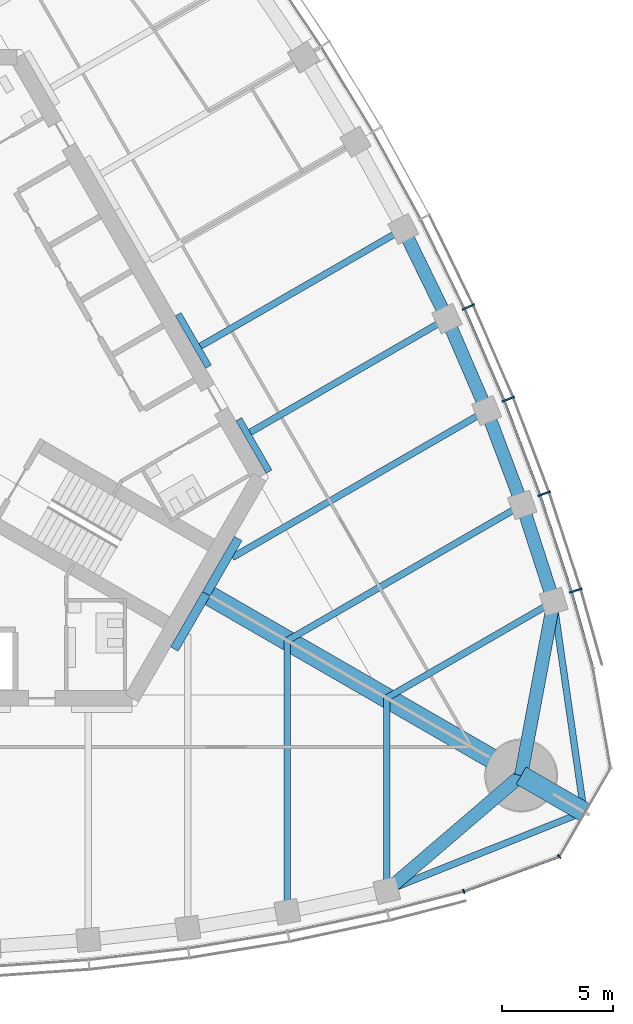
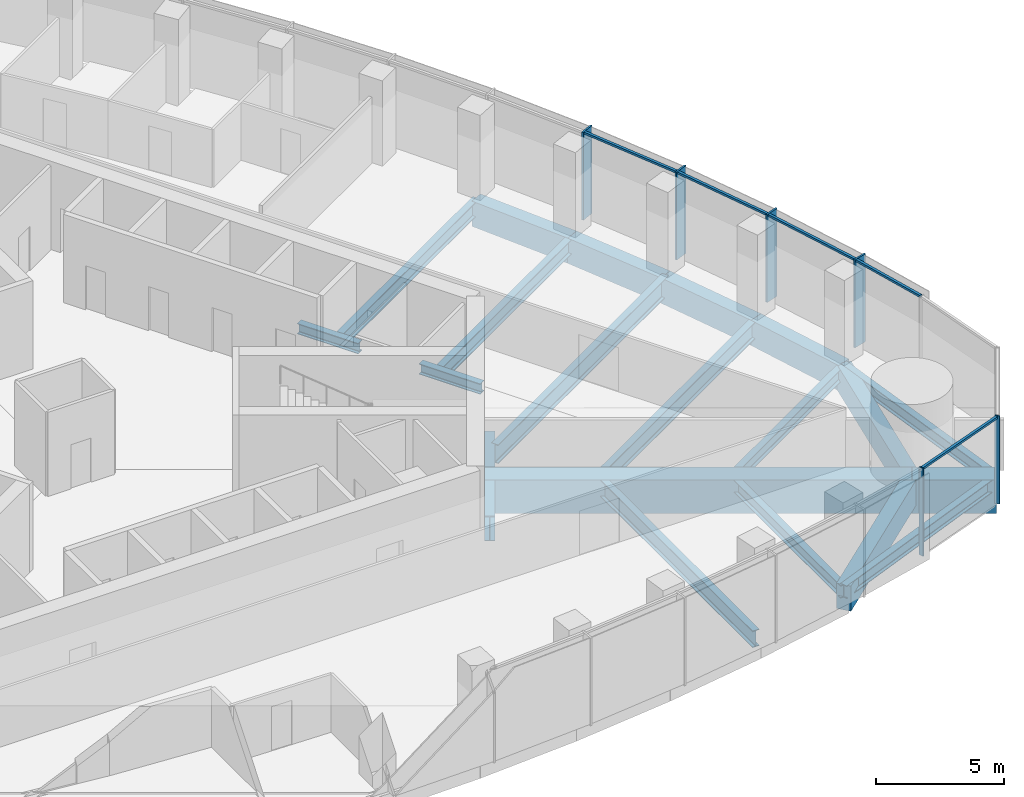
# One storey, part 4 of 19: 21 beams, 11 members, 2 elements without a shape of their own.
"""IFC4 building model written with IfcOpenShell, lengths in metres."""

from ifc_helpers import new_model, si_unit, direction, frame, origin, origin_2d, place, context, subcontext, project, spatial, rectangle, i_section, extrude, material, material_profile, profile_set, type_object, element, aggregate, save


model = new_model("IFC4")

# Units and contexts
model_context = context("Model", 3, precision=1e-05, world=origin(), true_north=direction((0.0, 1.0)))
body_context = subcontext(model_context, "Body", "Model", "MODEL_VIEW")
ifc_project = project(units=[si_unit("LENGTHUNIT", "METRE"), si_unit("AREAUNIT", "SQUARE_METRE"), si_unit("VOLUMEUNIT", "CUBIC_METRE"), si_unit("PLANEANGLEUNIT", "RADIAN"), si_unit("MASSUNIT", "GRAM", prefix="KILO")], contexts=[model_context])

# Site, building, storey
site_placement = place(None, origin())
site = spatial("IfcSite", under=ifc_project, at=site_placement, CompositionType="ELEMENT")
building_placement = place(site_placement, origin())
building = spatial("IfcBuilding", under=site, at=building_placement, Name="Trefoil Bronze Tower", CompositionType="ELEMENT")
storey_placement = place(building_placement, frame((0.0, 0.0, 227.5)))
storey = spatial("IfcBuildingStorey", under=building, at=storey_placement, Name="L52", CompositionType="ELEMENT", Elevation=227.5)

# Curtain wall, members
ifc_material_1 = material(Name="Tinted solar-control glass", Category="glass")
curtain_wall_type_1 = type_object("IfcCurtainWallType", Name="Bronze office curtain wall", PredefinedType="USERDEFINED", material=ifc_material_1)
curtain_wall_1_placement = place(storey_placement, origin())
curtain_wall_1 = element("IfcCurtainWall", 1, at=curtain_wall_1_placement, inside=storey, type_object=curtain_wall_type_1, Name="CW-A L52 F2", ObjectType="CURTAIN WALL", PredefinedType="USERDEFINED")
ifc_material_2 = material(Name="Bronze-finish aluminium", Category="aluminium")
ifc_material_profile_1 = material_profile(ifc_material_2, rectangle(XDim=0.60009765625, YDim=0.080078125, at=origin_2d()), Name="CW-A mullion")
ifc_profile_set_1 = profile_set([ifc_material_profile_1], Name="Bronze-finish aluminium")
member_type_1 = type_object("IfcMemberType", Name="Bronze office curtain wall mullion", PredefinedType="MULLION", material=ifc_profile_set_1)
member_1_placement = place(storey_placement, frame((31.05029296875, -8.132568359375, 0.0), z_axis=(0.0, 0.0, 1.0), x_axis=(-0.95694224323, -0.290278389002, 0.0)))
member_1 = element("IfcMember", 2, at=member_1_placement, type_object=member_type_1, Name="CW-A L52 F2 mullion 2", PredefinedType="MULLION", context=body_context, shape_type="SweptSolid", body=[
    extrude(rectangle(XDim=0.60009765625, YDim=0.080078125, at=origin_2d()), origin(), (0.0, 0.0, 1.0), 4.179931640625),
])
member_2_placement = place(storey_placement, frame((29.619873046875, -3.747314453125, 0.0), z_axis=(0.0, 0.0, 1.0), x_axis=(-0.943180077746, -0.332282020191, 0.0)))
member_2 = element("IfcMember", 3, at=member_2_placement, type_object=member_type_1, Name="CW-A L52 F2 mullion 3", PredefinedType="MULLION", context=body_context, shape_type="SweptSolid", body=[
    extrude(rectangle(XDim=0.60009765625, YDim=0.080078125, at=origin_2d()), origin(), (0.0, 0.0, 1.0), 4.179931640625),
])
member_3_placement = place(storey_placement, frame((27.999755859375, 0.529541015625, 0.0), z_axis=(0.0, 0.0, 1.0), x_axis=(-0.926689348282, -0.375828221106, 0.0)))
member_3 = element("IfcMember", 4, at=member_3_placement, type_object=member_type_1, Name="CW-A L52 F2 mullion 4", PredefinedType="MULLION", context=body_context, shape_type="SweptSolid", body=[
    extrude(rectangle(XDim=0.60009765625, YDim=0.080078125, at=origin_2d()), origin(), (0.0, 0.0, 1.0), 4.179931640625),
])
member_4_placement = place(storey_placement, frame((26.19482421875, 4.699462890625, 0.0), z_axis=(0.0, 0.0, 1.0), x_axis=(-0.908315380354, -0.418285990457, 0.0)))
member_4 = element("IfcMember", 5, at=member_4_placement, type_object=member_type_1, Name="CW-A L52 F2 mullion 5", PredefinedType="MULLION", context=body_context, shape_type="SweptSolid", body=[
    extrude(rectangle(XDim=0.60009765625, YDim=0.080078125, at=origin_2d()), origin(), (0.0, 0.0, 1.0), 4.179931640625),
])
ifc_material_3 = material(Name="Bronze-finish aluminium", Category="aluminium")
ifc_material_profile_2 = material_profile(ifc_material_3, rectangle(XDim=0.1201171875, YDim=0.10009765625, at=origin_2d()), Name="CW-A transom")
ifc_profile_set_2 = profile_set([ifc_material_profile_2], Name="Bronze-finish aluminium")
member_type_2 = type_object("IfcMemberType", Name="Bronze office curtain wall transom", PredefinedType="USERDEFINED", material=ifc_profile_set_2)
member_5_placement = place(storey_placement, frame((31.81201171875, -11.585205078125, 4.1298828125), z_axis=(-0.270284880437, 0.962780392097, 0.0), x_axis=(-0.962780392097, -0.270284880437, 0.0)))
member_5 = element("IfcMember", 6, at=member_5_placement, type_object=member_type_2, Name="CW-A L52 F2 transom 1", ObjectType="TRANSOM", PredefinedType="USERDEFINED", context=body_context, shape_type="SweptSolid", body=[
    extrude(rectangle(XDim=0.1201171875, YDim=0.10009765625, at=origin_2d()), origin(), (0.0, 0.0, 1.0), 3.48388671875),
])
member_6_placement = place(storey_placement, frame((30.845947265625, -8.150634765625, 4.1298828125), z_axis=(-0.310127806788, 0.950694874004, 0.0), x_axis=(-0.950694874004, -0.310127806788, 0.0)))
member_6 = element("IfcMember", 7, at=member_6_placement, type_object=member_type_2, Name="CW-A L52 F2 transom 2", ObjectType="TRANSOM", PredefinedType="USERDEFINED", context=body_context, shape_type="SweptSolid", body=[
    extrude(rectangle(XDim=0.1201171875, YDim=0.10009765625, at=origin_2d()), origin(), (0.0, 0.0, 1.0), 4.51953125),
])
member_7_placement = place(storey_placement, frame((29.416259765625, -3.774169921875, 4.1298828125), z_axis=(-0.354263170896, 0.935145767112, 0.0), x_axis=(-0.935145767112, -0.354263170896, 0.0)))
member_7 = element("IfcMember", 8, at=member_7_placement, type_object=member_type_2, Name="CW-A L52 F2 transom 3", ObjectType="TRANSOM", PredefinedType="USERDEFINED", context=body_context, shape_type="SweptSolid", body=[
    extrude(rectangle(XDim=0.1201171875, YDim=0.10009765625, at=origin_2d()), origin(), (0.0, 0.0, 1.0), 4.4794921875),
])
member_8_placement = place(storey_placement, frame((27.797607421875, 0.4931640625, 4.1298828125), z_axis=(-0.397220936772, 0.917723012346, 0.0), x_axis=(-0.917723012346, -0.397220936772, 0.0)))
member_8 = element("IfcMember", 9, at=member_8_placement, type_object=member_type_2, Name="CW-A L52 F2 transom 4", ObjectType="TRANSOM", PredefinedType="USERDEFINED", context=body_context, shape_type="SweptSolid", body=[
    extrude(rectangle(XDim=0.1201171875, YDim=0.10009765625, at=origin_2d()), origin(), (0.0, 0.0, 1.0), 4.449951171875),
])
aggregate(curtain_wall_1, [member_1, member_2, member_3, member_4, member_5, member_6, member_7, member_8])

ifc_material_4 = material(Name="Tinted solar-control glass", Category="glass")
curtain_wall_type_2 = type_object("IfcCurtainWallType", Name="Bronze rounded corner curtain wall", PredefinedType="USERDEFINED", material=ifc_material_4)
curtain_wall_2_placement = place(storey_placement, origin())
curtain_wall_2 = element("IfcCurtainWall", 10, at=curtain_wall_2_placement, inside=storey, type_object=curtain_wall_type_2, Name="CW-B L52 K1", ObjectType="CURTAIN WALL", PredefinedType="USERDEFINED")
ifc_material_5 = material(Name="Bronze-finish aluminium", Category="aluminium")
ifc_material_profile_3 = material_profile(ifc_material_5, rectangle(XDim=0.199951171875, YDim=0.06005859375, at=origin_2d()), Name="CW-B mullion")
ifc_profile_set_3 = profile_set([ifc_material_profile_3], Name="Bronze-finish aluminium")
member_type_3 = type_object("IfcMemberType", Name="Bronze rounded corner curtain wall mullion", PredefinedType="MULLION", material=ifc_profile_set_3)
member_9_placement = place(storey_placement, frame((25.9873046875, -21.74462890625, 0.0), z_axis=(0.0, 0.0, 1.0), x_axis=(-0.342020143326, 0.939692620786, 0.0)))
member_9 = element("IfcMember", 11, at=member_9_placement, type_object=member_type_3, Name="CW-B L52 K1 mullion 1", PredefinedType="MULLION", context=body_context, shape_type="SweptSolid", body=[
    extrude(rectangle(XDim=0.199951171875, YDim=0.06005859375, at=origin_2d()), origin(), (0.0, 0.0, 1.0), 4.179931640625),
])
member_10_placement = place(storey_placement, frame((30.302490234375, -20.16748046875, 0.0), z_axis=(0.0, 0.0, 1.0), x_axis=(-0.642787609687, 0.766044443119, 0.0)))
member_10 = element("IfcMember", 12, at=member_10_placement, type_object=member_type_3, Name="CW-B L52 K1 mullion 2", PredefinedType="MULLION", context=body_context, shape_type="SweptSolid", body=[
    extrude(rectangle(XDim=0.199951171875, YDim=0.06005859375, at=origin_2d()), origin(), (0.0, 0.0, 1.0), 4.179931640625),
])
ifc_material_6 = material(Name="Bronze-finish aluminium", Category="aluminium")
ifc_material_profile_4 = material_profile(ifc_material_6, rectangle(XDim=0.1201171875, YDim=0.10009765625, at=origin_2d()), Name="CW-B transom")
ifc_profile_set_4 = profile_set([ifc_material_profile_4], Name="Bronze-finish aluminium")
member_type_4 = type_object("IfcMemberType", Name="Bronze rounded corner curtain wall transom", PredefinedType="USERDEFINED", material=ifc_profile_set_4)
member_11_placement = place(storey_placement, frame((26.015380859375, -21.734375, 4.1298828125), z_axis=(0.939680910753, 0.342052314664, 0.0), x_axis=(-0.342052314664, 0.939680910753, 0.0)))
member_11 = element("IfcMember", 13, at=member_11_placement, type_object=member_type_4, Name="CW-B L52 K1 transom 1", ObjectType="TRANSOM", PredefinedType="USERDEFINED", context=body_context, shape_type="SweptSolid", body=[
    extrude(rectangle(XDim=0.1201171875, YDim=0.10009765625, at=origin_2d()), origin(), (0.0, 0.0, 1.0), 4.500244140625),
])
aggregate(curtain_wall_2, [member_9, member_10, member_11])

# Beams
ifc_material_7 = material(Name="Steel C355", Category="steel")
ifc_material_profile_5 = material_profile(ifc_material_7, i_section(OverallWidth=0.300048828125, OverallDepth=0.5, WebThickness=0.014404296875, FlangeThickness=0.028076171875, FilletRadius=0.027099609375, at=origin_2d()), Name="HEB 500")
ifc_profile_set_5 = profile_set([ifc_material_profile_5], Name="Steel C355")
beam_type_1 = type_object("IfcBeamType", Name="Core seat beam HEB 500", PredefinedType="BEAM", material=ifc_profile_set_5)
for number, where, z_axis, x_axis, name in (
    (14, (17.17626953125, -2.75, -0.449951171875), (-0.500035825175, 0.866004719122, 0.0), (-0.866004719122, -0.500035825175, 0.0), "Core seat beam F2/-2 L52"),
    (15, (14.433837890625, 2.0, -0.449951171875), (-0.500035825175, 0.866004719122, 0.0), (-0.866004719122, -0.500035825175, 0.0), "Core seat beam F2/-1 L52"),
):
    element("IfcBeam", number, at=place(storey_placement, frame(where, z_axis=z_axis, x_axis=x_axis)), inside=storey, type_object=beam_type_1, Name=name, PredefinedType="BEAM", context=body_context, shape_type="SweptSolid", body=[
        extrude(i_section(OverallWidth=0.300048828125, OverallDepth=0.5, WebThickness=0.014404296875, FlangeThickness=0.028076171875, FilletRadius=0.027099609375, at=origin_2d()), origin(), (0.0, 0.0, 1.0), 2.742431640625),
    ])
ifc_material_8 = material(Name="Steel C355", Category="steel")
ifc_material_profile_6 = material_profile(ifc_material_8, i_section(OverallWidth=0.39990234375, OverallDepth=1.199951171875, WebThickness=0.02001953125, FlangeThickness=0.0400390625, FilletRadius=0.010009765625, at=origin_2d()), Name="WPG 1200")
ifc_profile_set_6 = profile_set([ifc_material_profile_6], Name="Steel C355")
beam_type_2 = type_object("IfcBeamType", Name="Core seat beam WPG 1200", PredefinedType="BEAM", material=ifc_profile_set_6)
for number, where, z_axis, x_axis, name in (
    (16, (12.889404296875, -10.77490234375, -0.800048828125), (0.499995765644, 0.866027848477, 0.0), (-0.866027848477, 0.499995765644, 0.0), "Core seat beam F1/+3 L52"),
    (17, (14.332763671875, -8.27490234375, -0.800048828125), (0.499995765644, 0.866027848477, 0.0), (-0.866027848477, 0.499995765644, 0.0), "Core seat beam F2/-3 L52"),
):
    element("IfcBeam", number, at=place(storey_placement, frame(where, z_axis=z_axis, x_axis=x_axis)), inside=storey, type_object=beam_type_2, Name=name, PredefinedType="BEAM", context=body_context, shape_type="SweptSolid", body=[
        extrude(i_section(OverallWidth=0.39990234375, OverallDepth=1.199951171875, WebThickness=0.02001953125, FlangeThickness=0.0400390625, FilletRadius=0.010009765625, at=origin_2d()), origin(), (0.0, 0.0, 1.0), 2.88671875),
    ])
ifc_material_9 = material(Name="Concrete B80", Category="concrete")
ifc_material_profile_7 = material_profile(ifc_material_9, rectangle(XDim=0.89990234375, YDim=1.60009765625, at=origin_2d()), Name="RC 900x1600")
ifc_profile_set_7 = profile_set([ifc_material_profile_7], Name="Concrete B80")
beam_type_3 = type_object("IfcBeamType", Name="Corner cantilever RC 900x1600", PredefinedType="BEAM", material=ifc_profile_set_7)
beam_1_placement = place(storey_placement, frame((28.578857421875, -16.5, -1.0), z_axis=(0.866016004958, -0.500016278891, 0.0), x_axis=(0.500016278891, 0.866016004958, 0.0)))
element("IfcBeam", 18, at=beam_1_placement, inside=storey, type_object=beam_type_3, Name="Corner cantilever K1 L52", PredefinedType="BEAM", context=body_context, shape_type="SweptSolid", body=[
    extrude(rectangle(XDim=0.89990234375, YDim=1.60009765625, at=origin_2d()), origin(), (0.0, 0.0, 1.0), 3.28466796875),
])
ifc_material_10 = material(Name="Steel C355", Category="steel")
ifc_material_profile_8 = material_profile(ifc_material_10, i_section(OverallWidth=0.300048828125, OverallDepth=0.60009765625, WebThickness=0.015380859375, FlangeThickness=0.030029296875, FilletRadius=0.027099609375, at=origin_2d()), Name="HEB 600")
ifc_profile_set_8 = profile_set([ifc_material_profile_8], Name="Steel C355")
beam_type_4 = type_object("IfcBeamType", Name="Corner edge beam HEB 600", PredefinedType="BEAM", material=ifc_profile_set_8)
for number, where, z_axis, x_axis, name in (
    (19, (22.5, -21.71044921875, -0.5), (0.92852048463, 0.371281173266, 0.0), (-0.371281173266, 0.92852048463, 0.0), "Corner edge beam F1A L52"),
    (20, (30.052001953125, -8.63037109375, -0.5), (0.142694489722, -0.989766781925, 0.0), (0.989766781925, 0.142694489722, 0.0), "Corner edge beam F2B L52"),
):
    element("IfcBeam", number, at=place(storey_placement, frame(where, z_axis=z_axis, x_axis=x_axis)), inside=storey, type_object=beam_type_4, Name=name, PredefinedType="BEAM", context=body_context, shape_type="SweptSolid", body=[
        extrude(i_section(OverallWidth=0.300048828125, OverallDepth=0.60009765625, WebThickness=0.015380859375, FlangeThickness=0.030029296875, FilletRadius=0.027099609375, at=origin_2d()), origin(), (0.0, 0.0, 1.0), 9.6103515625),
    ])
ifc_material_11 = material(Name="Concrete B80", Category="concrete")
ifc_material_profile_9 = material_profile(ifc_material_11, rectangle(XDim=0.89990234375, YDim=1.60009765625, at=origin_2d()), Name="RC 900x1600")
ifc_profile_set_9 = profile_set([ifc_material_profile_9], Name="Concrete B80")
beam_type_5 = type_object("IfcBeamType", Name="Corner girder RC 900x1600", PredefinedType="BEAM", material=ifc_profile_set_9)
beam_2_placement = place(storey_placement, frame((14.159423828125, -8.175048828125, -1.0), z_axis=(0.866028334591, -0.49999492366, 0.0), x_axis=(0.49999492366, 0.866028334591, 0.0)))
element("IfcBeam", 21, at=beam_2_placement, inside=storey, type_object=beam_type_5, Name="Corner girder K1 L52", PredefinedType="BEAM", context=body_context, shape_type="SweptSolid", body=[
    extrude(rectangle(XDim=0.89990234375, YDim=1.60009765625, at=origin_2d()), origin(), (0.0, 0.0, 1.0), 16.650146484375),
])
ifc_material_12 = material(Name="Concrete B80", Category="concrete")
ifc_material_profile_10 = material_profile(ifc_material_12, rectangle(XDim=0.60009765625, YDim=1.199951171875, at=origin_2d()), Name="RC 600x1200")
ifc_profile_set_10 = profile_set([ifc_material_profile_10], Name="Concrete B80")
beam_type_6 = type_object("IfcBeamType", Name="End spandrel beam RC 600x1200", PredefinedType="SPANDREL", material=ifc_profile_set_10)
for number, where, z_axis, x_axis, name in (
    (22, (22.5, -21.71044921875, -0.800048828125), (0.759256602365, 0.650791373456, 0.0), (-0.650791373456, 0.759256602365, 0.0), "Spandrel F1.12 L52"),
    (23, (28.578857421875, -16.5, -0.800048828125), (0.18399763073, 0.982926686933, 0.0), (-0.982926686933, 0.18399763073, 0.0), "Spandrel F2.1 L52"),
):
    element("IfcBeam", number, at=place(storey_placement, frame(where, z_axis=z_axis, x_axis=x_axis)), inside=storey, type_object=beam_type_6, Name=name, PredefinedType="SPANDREL", context=body_context, shape_type="SweptSolid", body=[
        extrude(rectangle(XDim=0.60009765625, YDim=1.199951171875, at=origin_2d()), origin(), (0.0, 0.0, 1.0), 8.00634765625),
    ])
ifc_material_13 = material(Name="Steel C355", Category="steel")
ifc_material_profile_11 = material_profile(ifc_material_13, i_section(OverallWidth=0.300048828125, OverallDepth=0.590087890625, WebThickness=0.012939453125, FlangeThickness=0.02490234375, FilletRadius=0.027099609375, at=origin_2d()), Name="HEA 600")
ifc_profile_set_11 = profile_set([ifc_material_profile_11], Name="Steel C355")
beam_type_7 = type_object("IfcBeamType", Name="Floor beam HEA 600", PredefinedType="BEAM", material=ifc_profile_set_11)
beam_3_placement = place(storey_placement, frame((22.5, -21.71044921875, -0.4951171875), z_axis=(0.0, 1.0, 0.0), x_axis=(-1.0, 0.0, 0.0)))
element("IfcBeam", 24, at=beam_3_placement, inside=storey, type_object=beam_type_7, Name="Floor beam F1/+5 L52", PredefinedType="BEAM", context=body_context, shape_type="SweptSolid", body=[
    extrude(i_section(OverallWidth=0.300048828125, OverallDepth=0.590087890625, WebThickness=0.012939453125, FlangeThickness=0.02490234375, FilletRadius=0.027099609375, at=origin_2d()), origin(), (0.0, 0.0, 1.0), 8.719970703125),
])
beam_4_placement = place(storey_placement, frame((30.052001953125, -8.63037109375, -0.4951171875), z_axis=(-0.866027535932, -0.499996306993, 0.0), x_axis=(0.499996306993, -0.866027535932, 0.0)))
element("IfcBeam", 25, at=beam_4_placement, inside=storey, type_object=beam_type_7, Name="Floor beam F2/-5 L52", PredefinedType="BEAM", context=body_context, shape_type="SweptSolid", body=[
    extrude(i_section(OverallWidth=0.300048828125, OverallDepth=0.590087890625, WebThickness=0.012939453125, FlangeThickness=0.02490234375, FilletRadius=0.027099609375, at=origin_2d()), origin(), (0.0, 0.0, 1.0), 8.72021484375),
])
ifc_material_14 = material(Name="Steel C355", Category="steel")
ifc_material_profile_12 = material_profile(ifc_material_14, i_section(OverallWidth=0.300048828125, OverallDepth=0.699951171875, WebThickness=0.01708984375, FlangeThickness=0.031982421875, FilletRadius=0.027099609375, at=origin_2d()), Name="HEB 700")
ifc_profile_set_12 = profile_set([ifc_material_profile_12], Name="Steel C355")
beam_type_8 = type_object("IfcBeamType", Name="Floor beam HEB 700", PredefinedType="BEAM", material=ifc_profile_set_12)
beam_5_placement = place(storey_placement, frame((25.2265625, 4.17236328125, -0.550048828125), z_axis=(-0.866019527493, -0.500010177898, 0.0), x_axis=(0.500010177898, -0.866019527493, 0.0)))
element("IfcBeam", 26, at=beam_5_placement, inside=storey, type_object=beam_type_8, Name="Floor beam F2/-2 L52", PredefinedType="BEAM", context=body_context, shape_type="SweptSolid", body=[
    extrude(i_section(OverallWidth=0.300048828125, OverallDepth=0.699951171875, WebThickness=0.01708984375, FlangeThickness=0.031982421875, FilletRadius=0.027099609375, at=origin_2d()), origin(), (0.0, 0.0, 1.0), 10.282958984375),
])
beam_6_placement = place(storey_placement, frame((23.248046875, 8.22607421875, -0.550048828125), z_axis=(-0.86602981261, -0.499992363612, 0.0), x_axis=(0.499992363612, -0.86602981261, 0.0)))
element("IfcBeam", 27, at=beam_6_placement, inside=storey, type_object=beam_type_8, Name="Floor beam F2/-1 L52", PredefinedType="BEAM", context=body_context, shape_type="SweptSolid", body=[
    extrude(i_section(OverallWidth=0.300048828125, OverallDepth=0.699951171875, WebThickness=0.01708984375, FlangeThickness=0.031982421875, FilletRadius=0.027099609375, at=origin_2d()), origin(), (0.0, 0.0, 1.0), 10.596435546875),
])
ifc_material_15 = material(Name="Steel C355", Category="steel")
ifc_material_profile_13 = material_profile(ifc_material_15, i_section(OverallWidth=0.300048828125, OverallDepth=0.800048828125, WebThickness=0.017578125, FlangeThickness=0.032958984375, FilletRadius=0.030029296875, at=origin_2d()), Name="HEB 800")
ifc_profile_set_13 = profile_set([ifc_material_profile_13], Name="Steel C355")
beam_type_9 = type_object("IfcBeamType", Name="Floor beam HEB 800", PredefinedType="BEAM", material=ifc_profile_set_13)
beam_7_placement = place(storey_placement, frame((18.0, -22.6689453125, -0.60009765625), z_axis=(0.0, 1.0, 0.0), x_axis=(-1.0, 0.0, 0.0)))
element("IfcBeam", 28, at=beam_7_placement, inside=storey, type_object=beam_type_9, Name="Floor beam F1/+4 L52", PredefinedType="BEAM", context=body_context, shape_type="SweptSolid", body=[
    extrude(i_section(OverallWidth=0.300048828125, OverallDepth=0.800048828125, WebThickness=0.017578125, FlangeThickness=0.032958984375, FilletRadius=0.030029296875, at=origin_2d()), origin(), (0.0, 0.0, 1.0), 12.276611328125),
])
beam_8_placement = place(storey_placement, frame((28.632080078125, -4.25390625, -0.60009765625), z_axis=(-0.866025635187, -0.499999599199, 0.0), x_axis=(0.499999599199, -0.866025635187, 0.0)))
element("IfcBeam", 29, at=beam_8_placement, inside=storey, type_object=beam_type_9, Name="Floor beam F2/-4 L52", PredefinedType="BEAM", context=body_context, shape_type="SweptSolid", body=[
    extrude(i_section(OverallWidth=0.300048828125, OverallDepth=0.800048828125, WebThickness=0.017578125, FlangeThickness=0.032958984375, FilletRadius=0.030029296875, at=origin_2d()), origin(), (0.0, 0.0, 1.0), 12.27685546875),
])
ifc_material_16 = material(Name="Steel C355", Category="steel")
ifc_material_profile_14 = material_profile(ifc_material_16, i_section(OverallWidth=0.300048828125, OverallDepth=0.89990234375, WebThickness=0.0185546875, FlangeThickness=0.034912109375, FilletRadius=0.030029296875, at=origin_2d()), Name="HEB 900")
ifc_profile_set_14 = profile_set([ifc_material_profile_14], Name="Steel C355")
beam_type_10 = type_object("IfcBeamType", Name="Floor beam HEB 900", PredefinedType="BEAM", material=ifc_profile_set_14)
beam_9_placement = place(storey_placement, frame((27.022216796875, 0.012939453125, -0.64990234375), z_axis=(-0.866023461342, -0.500003364394, 0.0), x_axis=(0.500003364394, -0.866023461342, 0.0)))
element("IfcBeam", 30, at=beam_9_placement, inside=storey, type_object=beam_type_10, Name="Floor beam F2/-3 L52", PredefinedType="BEAM", context=body_context, shape_type="SweptSolid", body=[
    extrude(i_section(OverallWidth=0.300048828125, OverallDepth=0.89990234375, WebThickness=0.0185546875, FlangeThickness=0.034912109375, FilletRadius=0.030029296875, at=origin_2d()), origin(), (0.0, 0.0, 1.0), 13.291015625),
])
ifc_material_17 = material(Name="Concrete B80", Category="concrete")
ifc_material_profile_15 = material_profile(ifc_material_17, rectangle(XDim=0.60009765625, YDim=1.199951171875, at=origin_2d()), Name="RC 600x1200")
ifc_profile_set_15 = profile_set([ifc_material_profile_15], Name="Concrete B80")
beam_type_11 = type_object("IfcBeamType", Name="Spandrel beam RC 600x1200", PredefinedType="SPANDREL", material=ifc_profile_set_15)
beam_10_placement = place(storey_placement, frame((30.052001953125, -8.63037109375, -0.800048828125), z_axis=(-0.308608505504, 0.951189145402, 0.0), x_axis=(-0.951189145402, -0.308608505504, 0.0)))
element("IfcBeam", 31, at=beam_10_placement, inside=storey, type_object=beam_type_11, Name="Spandrel F2.2 L52", PredefinedType="SPANDREL", context=body_context, shape_type="SweptSolid", body=[
    extrude(rectangle(XDim=0.60009765625, YDim=1.199951171875, at=origin_2d()), origin(), (0.0, 0.0, 1.0), 4.60107421875),
])
beam_11_placement = place(storey_placement, frame((28.632080078125, -4.25390625, -0.800048828125), z_axis=(-0.353005969632, 0.935621069346, 0.0), x_axis=(-0.935621069346, -0.353005969632, 0.0)))
element("IfcBeam", 32, at=beam_11_placement, inside=storey, type_object=beam_type_11, Name="Spandrel F2.3 L52", PredefinedType="SPANDREL", context=body_context, shape_type="SweptSolid", body=[
    extrude(rectangle(XDim=0.60009765625, YDim=1.199951171875, at=origin_2d()), origin(), (0.0, 0.0, 1.0), 4.560546875),
])
beam_12_placement = place(storey_placement, frame((27.022216796875, 0.012939453125, -0.800048828125), z_axis=(-0.396350337164, 0.918099346602, 0.0), x_axis=(-0.918099346602, -0.396350337164, 0.0)))
element("IfcBeam", 33, at=beam_12_placement, inside=storey, type_object=beam_type_11, Name="Spandrel F2.4 L52", PredefinedType="SPANDREL", context=body_context, shape_type="SweptSolid", body=[
    extrude(rectangle(XDim=0.60009765625, YDim=1.199951171875, at=origin_2d()), origin(), (0.0, 0.0, 1.0), 4.530517578125),
])
beam_13_placement = place(storey_placement, frame((25.2265625, 4.17236328125, -0.800048828125), z_axis=(-0.438619830351, 0.898672712629, 0.0), x_axis=(-0.898672712629, -0.438619830351, 0.0)))
element("IfcBeam", 34, at=beam_13_placement, inside=storey, type_object=beam_type_11, Name="Spandrel F2.5 L52", PredefinedType="SPANDREL", context=body_context, shape_type="SweptSolid", body=[
    extrude(rectangle(XDim=0.60009765625, YDim=1.199951171875, at=origin_2d()), origin(), (0.0, 0.0, 1.0), 4.5107421875),
])

save(model, "model.ifc")
